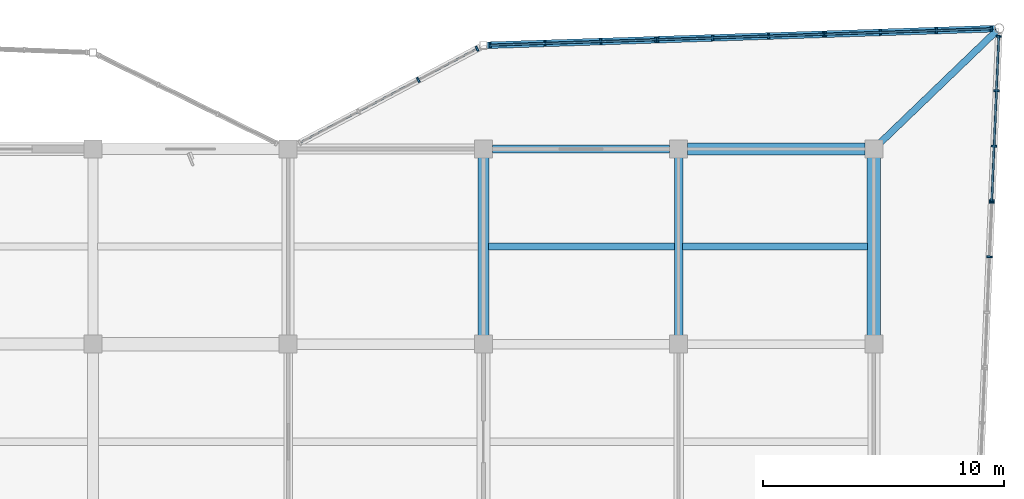
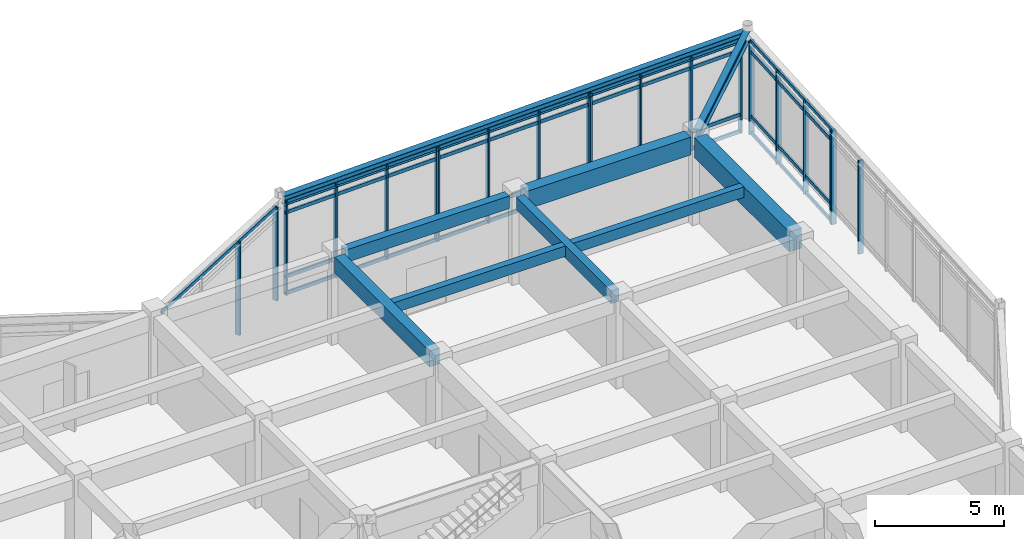
# One storey, part 48 of 89: 37 members, 9 beams, 6 elements without a shape of their own.
"""IFC4 building model written with IfcOpenShell, lengths in metres."""

from ifc_helpers import new_model, si_unit, direction, frame, origin, origin_2d, place, context, subcontext, project, spatial, rectangle, i_section, extrude, material, layer, layer_set, material_profile, profile_set, type_object, element, aggregate, save


model = new_model("IFC4")

# Units and contexts
model_context = context("Model", 3, precision=1e-05, world=origin(), true_north=direction((0.0, 1.0)))
body_context = subcontext(model_context, "Body", "Model", "MODEL_VIEW")
ifc_project = project(units=[si_unit("LENGTHUNIT", "METRE"), si_unit("AREAUNIT", "SQUARE_METRE"), si_unit("VOLUMEUNIT", "CUBIC_METRE"), si_unit("PLANEANGLEUNIT", "RADIAN"), si_unit("MASSUNIT", "GRAM", prefix="KILO")], contexts=[model_context])

# Site, building, storey
site_placement = place(None, origin())
site = spatial("IfcSite", under=ifc_project, at=site_placement, CompositionType="ELEMENT")
building_placement = place(site_placement, origin())
building = spatial("IfcBuilding", under=site, at=building_placement, Name="Vaudrelin Polytechnic", CompositionType="ELEMENT")
storey_placement = place(building_placement, frame((0.0, 0.0, 9.68994140625)))
storey = spatial("IfcBuildingStorey", under=building, at=storey_placement, Name="L02", CompositionType="ELEMENT", Elevation=9.68994140625)

# Beams
ifc_material_1 = material(Name="Concrete 40 MPa", Category="concrete")
ifc_material_profile_1 = material_profile(ifc_material_1, rectangle(XDim=0.35009765625, YDim=0.60009765625, at=origin_2d()), Name="RC350x600")
ifc_profile_set_1 = profile_set([ifc_material_profile_1], Name="Concrete 40 MPa")
beam_type_1 = type_object("IfcBeamType", Name="BM-BM-RC3560", PredefinedType="BEAM", material=ifc_profile_set_1)
beam_1_placement = place(storey_placement, frame((162.0, 113.760009765625, 3.840087890625), z_axis=(0.0, 1.0, 0.0), x_axis=(-1.0, 0.0, 0.0)))
element("IfcBeam", 1, at=beam_1_placement, inside=storey, type_object=beam_type_1, Name="L02 Y-beam 21-15", PredefinedType="BEAM", context=body_context, shape_type="SweptSolid", body=[
    extrude(rectangle(XDim=0.35009765625, YDim=0.60009765625, at=origin_2d()), origin(), (0.0, 0.0, 1.0), 7.3798828125),
])
beam_2_placement = place(storey_placement, frame((154.27099609375, 121.5, 3.840087890625), z_axis=(1.0, 0.0, 0.0), x_axis=(0.0, 1.0, 0.0)))
element("IfcBeam", 2, at=beam_2_placement, inside=storey, type_object=beam_type_1, Name="L02 X-beam 20-16", PredefinedType="BEAM", context=body_context, shape_type="SweptSolid", body=[
    extrude(rectangle(XDim=0.35009765625, YDim=0.60009765625, at=origin_2d()), origin(), (0.0, 0.0, 1.0), 7.35791015625),
])
ifc_material_profile_2 = material_profile(ifc_material_1, rectangle(XDim=0.449951171875, YDim=0.75, at=origin_2d()), Name="RC450x750")
ifc_profile_set_2 = profile_set([ifc_material_profile_2], Name="Concrete 40 MPa")
beam_type_2 = type_object("IfcBeamType", Name="BM-BM-RC4575", PredefinedType="BEAM", material=ifc_profile_set_2)
beam_3_placement = place(storey_placement, frame((153.89990234375, 113.760009765625, 3.76513671875), z_axis=(0.0, 1.0, 0.0), x_axis=(-1.0, 0.0, 0.0)))
element("IfcBeam", 3, at=beam_3_placement, inside=storey, type_object=beam_type_2, Name="L02 Y-beam 20-15", PredefinedType="BEAM", context=body_context, shape_type="SweptSolid", body=[
    extrude(rectangle(XDim=0.449951171875, YDim=0.75, at=origin_2d()), origin(), (0.0, 0.0, 1.0), 7.3798828125),
])
ifc_material_profile_3 = material_profile(ifc_material_1, rectangle(XDim=0.5, YDim=0.85009765625, at=origin_2d()), Name="RC500x850")
ifc_profile_set_3 = profile_set([ifc_material_profile_3], Name="Concrete 40 MPa")
beam_type_3 = type_object("IfcBeamType", Name="BM-BM-RC5085", PredefinedType="BEAM", material=ifc_profile_set_3)
beam_4_placement = place(storey_placement, frame((162.37109375, 121.5, 3.715087890625), z_axis=(1.0, 0.0, 0.0), x_axis=(0.0, 1.0, 0.0)))
element("IfcBeam", 4, at=beam_4_placement, inside=storey, type_object=beam_type_3, Name="L02 X-beam 21-16", PredefinedType="BEAM", context=body_context, shape_type="SweptSolid", body=[
    extrude(rectangle(XDim=0.5, YDim=0.85009765625, at=origin_2d()), origin(), (0.0, 0.0, 1.0), 7.35791015625),
])
ifc_material_2 = material(Name="Concrete 50 MPa", Category="concrete")
ifc_material_profile_4 = material_profile(ifc_material_2, rectangle(XDim=0.550048828125, YDim=0.949951171875, at=origin_2d()), Name="RC550x950")
ifc_profile_set_4 = profile_set([ifc_material_profile_4], Name="Concrete 50 MPa")
beam_type_4 = type_object("IfcBeamType", Name="BM-BM-RC5595", PredefinedType="BEAM", material=ifc_profile_set_4)
beam_5_placement = place(storey_placement, frame((170.10009765625, 113.760009765625, 3.6650390625), z_axis=(0.0, 1.0, 0.0), x_axis=(-1.0, 0.0, 0.0)))
element("IfcBeam", 5, at=beam_5_placement, inside=storey, type_object=beam_type_4, Name="L02 Y-beam 22-15", PredefinedType="BEAM", context=body_context, shape_type="SweptSolid", body=[
    extrude(rectangle(XDim=0.550048828125, YDim=0.949951171875, at=origin_2d()), origin(), (0.0, 0.0, 1.0), 7.3798828125),
])
ifc_material_3 = material(Name="Steel CSA G40.21 350W", Category="steel")
ifc_material_profile_5 = material_profile(ifc_material_3, i_section(OverallWidth=0.280029296875, OverallDepth=0.462890625, WebThickness=0.0107421875, FlangeThickness=0.017333984375, FilletRadius=0.01806640625, at=origin_2d()), Name="W460x113")
ifc_profile_set_5 = profile_set([ifc_material_profile_5], Name="Steel CSA G40.21 350W")
beam_type_5 = type_object("IfcBeamType", Name="BM-BM-W460H", PredefinedType="BEAM", material=ifc_profile_set_5)
beam_6_placement = place(storey_placement, frame((154.039794921875, 125.8046875, 3.908447265625), z_axis=(0.999465724625, 0.032684328046, 0.0), x_axis=(-0.032684328046, 0.999465724625, 0.0)))
element("IfcBeam", 6, at=beam_6_placement, inside=storey, type_object=beam_type_5, Name="Sculptural edge beam L02 NE_BM_2", PredefinedType="BEAM", context=body_context, shape_type="SweptSolid", body=[
    extrude(i_section(OverallWidth=0.280029296875, OverallDepth=0.462890625, WebThickness=0.0107421875, FlangeThickness=0.017333984375, FilletRadius=0.01806640625, at=origin_2d()), origin(), (0.0, 0.0, 1.0), 21.131591796875),
])
beam_7_placement = place(storey_placement, frame((170.200927734375, 121.596923828125, 3.908447265625), z_axis=(0.720825622612, 0.69311645615, 0.0), x_axis=(-0.69311645615, 0.720825622612, 0.0)))
element("IfcBeam", 7, at=beam_7_placement, inside=storey, type_object=beam_type_5, Name="Sculptural edge beam L02 NE_BM_5", PredefinedType="BEAM", context=body_context, shape_type="SweptSolid", body=[
    extrude(i_section(OverallWidth=0.280029296875, OverallDepth=0.462890625, WebThickness=0.0107421875, FlangeThickness=0.017333984375, FilletRadius=0.01806640625, at=origin_2d()), origin(), (0.0, 0.0, 1.0), 6.93408203125),
])
ifc_material_profile_6 = material_profile(ifc_material_1, rectangle(XDim=0.300048828125, YDim=0.5, at=origin_2d()), Name="RC300x500")
ifc_profile_set_6 = profile_set([ifc_material_profile_6], Name="Concrete 40 MPa")
beam_type_6 = type_object("IfcBeamType", Name="BM-JS-RC3050", PredefinedType="JOIST", material=ifc_profile_set_6)
beam_8_placement = place(storey_placement, frame((154.12109375, 117.449951171875, 3.89013671875), z_axis=(1.0, 0.0, 0.0), x_axis=(0.0, 1.0, 0.0)))
element("IfcBeam", 8, at=beam_8_placement, inside=storey, type_object=beam_type_6, Name="L02 floor joist 20-15", PredefinedType="JOIST", context=body_context, shape_type="SweptSolid", body=[
    extrude(rectangle(XDim=0.300048828125, YDim=0.5, at=origin_2d()), origin(), (0.0, 0.0, 1.0), 7.7080078125),
])
beam_9_placement = place(storey_placement, frame((162.1708984375, 117.449951171875, 3.89013671875), z_axis=(1.0, 0.0, 0.0), x_axis=(0.0, 1.0, 0.0)))
element("IfcBeam", 9, at=beam_9_placement, inside=storey, type_object=beam_type_6, Name="L02 floor joist 21-15", PredefinedType="JOIST", context=body_context, shape_type="SweptSolid", body=[
    extrude(rectangle(XDim=0.300048828125, YDim=0.5, at=origin_2d()), origin(), (0.0, 0.0, 1.0), 7.658203125),
])

# Curtain wall, members
ifc_material_4 = material(Name="Thermally broken anodised aluminium AA 6063-T6 and low-e triple glazing", Category="aluminium")
ifc_layer = layer(ifc_material_4, 0.199951171875)
ifc_layer_set = layer_set([ifc_layer], Name="Thermally broken anodised aluminium AA 6063-T6 and low-e triple glazing")
curtain_wall_type = type_object("IfcCurtainWallType", Name="CW-CW-LAB", PredefinedType="USERDEFINED", material=ifc_layer_set)
curtain_wall_1_placement = place(storey_placement, origin())
curtain_wall_1 = element("IfcCurtainWall", 10, at=curtain_wall_1_placement, inside=storey, type_object=curtain_wall_type, Name="Curtain wall L02 NEP_1_0", ObjectType="CURTAIN WALL", PredefinedType="USERDEFINED")
ifc_material_5 = material(Name="Anodised aluminium AA 6063-T6", Category="aluminium")
ifc_material_profile_7 = material_profile(ifc_material_5, rectangle(XDim=0.074951171875, YDim=0.219970703125, at=origin_2d()), Name="CWM-75x220")
ifc_profile_set_7 = profile_set([ifc_material_profile_7], Name="Anodised aluminium AA 6063-T6")
member_type_1 = type_object("IfcMemberType", Name="MEM-CWM-220", PredefinedType="MULLION", material=ifc_profile_set_7)
member_1_placement = place(storey_placement, frame((151.1982421875, 124.36572265625, -0.6298828125), z_axis=(0.0, 0.0, 1.0), x_axis=(0.88325357809, 0.468895635288, 0.0)))
member_1 = element("IfcMember", 11, at=member_1_placement, type_object=member_type_1, Name="NEP_1_0 mullion 3", PredefinedType="MULLION", context=body_context, shape_type="SweptSolid", body=[
    extrude(rectangle(XDim=0.074951171875, YDim=0.219970703125, at=origin_2d()), origin(), (0.0, 0.0, 1.0), 4.43994140625),
])
member_2_placement = place(storey_placement, frame((153.63720703125, 125.660400390625, -0.6298828125), z_axis=(0.0, 0.0, 1.0), x_axis=(0.88325357809, 0.468895635288, 0.0)))
member_2 = element("IfcMember", 12, at=member_2_placement, type_object=member_type_1, Name="NEP_1_0 mullion 4", PredefinedType="MULLION", context=body_context, shape_type="SweptSolid", body=[
    extrude(rectangle(XDim=0.074951171875, YDim=0.219970703125, at=origin_2d()), origin(), (0.0, 0.0, 1.0), 4.43994140625),
])

curtain_wall_2_placement = place(storey_placement, origin())
curtain_wall_2 = element("IfcCurtainWall", 13, at=curtain_wall_2_placement, inside=storey, type_object=curtain_wall_type, Name="Curtain wall L02 NEP_2_0", ObjectType="CURTAIN WALL", PredefinedType="USERDEFINED")
member_3_placement = place(storey_placement, frame((154.177490234375, 125.80908203125, -0.6298828125), z_axis=(0.0, 0.0, 1.0), x_axis=(0.999465454284, 0.032692593862, 0.0)))
member_3 = element("IfcMember", 14, at=member_3_placement, type_object=member_type_1, Name="NEP_2_0 mullion 1", PredefinedType="MULLION", context=body_context, shape_type="SweptSolid", body=[
    extrude(rectangle(XDim=0.074951171875, YDim=0.219970703125, at=origin_2d()), origin(), (0.0, 0.0, 1.0), 4.43994140625),
])
member_4_placement = place(storey_placement, frame((156.456787109375, 125.8837890625, -0.6298828125), z_axis=(0.0, 0.0, 1.0), x_axis=(0.999465454284, 0.032692593862, 0.0)))
member_4 = element("IfcMember", 15, at=member_4_placement, type_object=member_type_1, Name="NEP_2_0 mullion 2", PredefinedType="MULLION", context=body_context, shape_type="SweptSolid", body=[
    extrude(rectangle(XDim=0.074951171875, YDim=0.219970703125, at=origin_2d()), origin(), (0.0, 0.0, 1.0), 4.43994140625),
])
member_5_placement = place(storey_placement, frame((158.776123046875, 125.95947265625, -0.6298828125), z_axis=(0.0, 0.0, 1.0), x_axis=(0.999465454284, 0.032692593862, 0.0)))
member_5 = element("IfcMember", 16, at=member_5_placement, type_object=member_type_1, Name="NEP_2_0 mullion 3", PredefinedType="MULLION", context=body_context, shape_type="SweptSolid", body=[
    extrude(rectangle(XDim=0.074951171875, YDim=0.219970703125, at=origin_2d()), origin(), (0.0, 0.0, 1.0), 4.43994140625),
])
member_6_placement = place(storey_placement, frame((161.0556640625, 126.0341796875, -0.6298828125), z_axis=(0.0, 0.0, 1.0), x_axis=(0.999465454284, 0.032692593862, 0.0)))
member_6 = element("IfcMember", 17, at=member_6_placement, type_object=member_type_1, Name="NEP_2_0 mullion 4", PredefinedType="MULLION", context=body_context, shape_type="SweptSolid", body=[
    extrude(rectangle(XDim=0.074951171875, YDim=0.219970703125, at=origin_2d()), origin(), (0.0, 0.0, 1.0), 4.43994140625),
])

curtain_wall_3_placement = place(storey_placement, origin())
curtain_wall_3 = element("IfcCurtainWall", 18, at=curtain_wall_3_placement, inside=storey, type_object=curtain_wall_type, Name="Curtain wall L02 NEP_2_1", ObjectType="CURTAIN WALL", PredefinedType="USERDEFINED")
member_7_placement = place(storey_placement, frame((161.135498046875, 126.03662109375, -0.6298828125), z_axis=(0.0, 0.0, 1.0), x_axis=(0.999465454284, 0.032692593862, 0.0)))
member_7 = element("IfcMember", 19, at=member_7_placement, type_object=member_type_1, Name="NEP_2_1 mullion 1", PredefinedType="MULLION", context=body_context, shape_type="SweptSolid", body=[
    extrude(rectangle(XDim=0.074951171875, YDim=0.219970703125, at=origin_2d()), origin(), (0.0, 0.0, 1.0), 4.43994140625),
])
member_8_placement = place(storey_placement, frame((163.4150390625, 126.111328125, -0.6298828125), z_axis=(0.0, 0.0, 1.0), x_axis=(0.999465454284, 0.032692593862, 0.0)))
member_8 = element("IfcMember", 20, at=member_8_placement, type_object=member_type_1, Name="NEP_2_1 mullion 2", PredefinedType="MULLION", context=body_context, shape_type="SweptSolid", body=[
    extrude(rectangle(XDim=0.074951171875, YDim=0.219970703125, at=origin_2d()), origin(), (0.0, 0.0, 1.0), 4.43994140625),
])
member_9_placement = place(storey_placement, frame((165.734375, 126.18701171875, -0.6298828125), z_axis=(0.0, 0.0, 1.0), x_axis=(0.999465454284, 0.032692593862, 0.0)))
member_9 = element("IfcMember", 21, at=member_9_placement, type_object=member_type_1, Name="NEP_2_1 mullion 3", PredefinedType="MULLION", context=body_context, shape_type="SweptSolid", body=[
    extrude(rectangle(XDim=0.074951171875, YDim=0.219970703125, at=origin_2d()), origin(), (0.0, 0.0, 1.0), 4.43994140625),
])
member_10_placement = place(storey_placement, frame((168.013671875, 126.26171875, -0.6298828125), z_axis=(0.0, 0.0, 1.0), x_axis=(0.999465454284, 0.032692593862, 0.0)))
member_10 = element("IfcMember", 22, at=member_10_placement, type_object=member_type_1, Name="NEP_2_1 mullion 4", PredefinedType="MULLION", context=body_context, shape_type="SweptSolid", body=[
    extrude(rectangle(XDim=0.074951171875, YDim=0.219970703125, at=origin_2d()), origin(), (0.0, 0.0, 1.0), 4.43994140625),
])

curtain_wall_4_placement = place(storey_placement, origin())
curtain_wall_4 = element("IfcCurtainWall", 23, at=curtain_wall_4_placement, inside=storey, type_object=curtain_wall_type, Name="Curtain wall L02 NEP_2_2", ObjectType="CURTAIN WALL", PredefinedType="USERDEFINED")
member_11_placement = place(storey_placement, frame((168.09375, 126.264404296875, -0.6298828125), z_axis=(0.0, 0.0, 1.0), x_axis=(0.999465454284, 0.032692593862, 0.0)))
member_11 = element("IfcMember", 24, at=member_11_placement, type_object=member_type_1, Name="NEP_2_2 mullion 1", PredefinedType="MULLION", context=body_context, shape_type="SweptSolid", body=[
    extrude(rectangle(XDim=0.074951171875, YDim=0.219970703125, at=origin_2d()), origin(), (0.0, 0.0, 1.0), 4.43994140625),
])
member_12_placement = place(storey_placement, frame((170.373046875, 126.3388671875, -0.6298828125), z_axis=(0.0, 0.0, 1.0), x_axis=(0.999465454284, 0.032692593862, 0.0)))
member_12 = element("IfcMember", 25, at=member_12_placement, type_object=member_type_1, Name="NEP_2_2 mullion 2", PredefinedType="MULLION", context=body_context, shape_type="SweptSolid", body=[
    extrude(rectangle(XDim=0.074951171875, YDim=0.219970703125, at=origin_2d()), origin(), (0.0, 0.0, 1.0), 4.43994140625),
])
member_13_placement = place(storey_placement, frame((172.6923828125, 126.414794921875, -0.6298828125), z_axis=(0.0, 0.0, 1.0), x_axis=(0.999465454284, 0.032692593862, 0.0)))
member_13 = element("IfcMember", 26, at=member_13_placement, type_object=member_type_1, Name="NEP_2_2 mullion 3", PredefinedType="MULLION", context=body_context, shape_type="SweptSolid", body=[
    extrude(rectangle(XDim=0.074951171875, YDim=0.219970703125, at=origin_2d()), origin(), (0.0, 0.0, 1.0), 4.43994140625),
])
member_14_placement = place(storey_placement, frame((174.9716796875, 126.4892578125, -0.6298828125), z_axis=(0.0, 0.0, 1.0), x_axis=(0.999465454284, 0.032692593862, 0.0)))
member_14 = element("IfcMember", 27, at=member_14_placement, type_object=member_type_1, Name="NEP_2_2 mullion 4", PredefinedType="MULLION", context=body_context, shape_type="SweptSolid", body=[
    extrude(rectangle(XDim=0.074951171875, YDim=0.219970703125, at=origin_2d()), origin(), (0.0, 0.0, 1.0), 4.43994140625),
])

curtain_wall_5_placement = place(storey_placement, origin())
curtain_wall_5 = element("IfcCurtainWall", 28, at=curtain_wall_5_placement, inside=storey, type_object=curtain_wall_type, Name="Curtain wall L02 NEP_3_0", ObjectType="CURTAIN WALL", PredefinedType="USERDEFINED")
member_15_placement = place(storey_placement, frame((175.2861328125, 126.171875, -0.6298828125), z_axis=(0.0, 0.0, 1.0), x_axis=(-0.042419882824, -0.999099871655, 0.0)))
member_15 = element("IfcMember", 29, at=member_15_placement, type_object=member_type_1, Name="NEP_3_0 mullion 1", PredefinedType="MULLION", context=body_context, shape_type="SweptSolid", body=[
    extrude(rectangle(XDim=0.074951171875, YDim=0.219970703125, at=origin_2d()), origin(), (0.0, 0.0, 1.0), 4.43994140625),
])
member_16_placement = place(storey_placement, frame((175.190185546875, 123.914794921875, -0.6298828125), z_axis=(0.0, 0.0, 1.0), x_axis=(-0.042419882824, -0.999099871655, 0.0)))
member_16 = element("IfcMember", 30, at=member_16_placement, type_object=member_type_1, Name="NEP_3_0 mullion 2", PredefinedType="MULLION", context=body_context, shape_type="SweptSolid", body=[
    extrude(rectangle(XDim=0.074951171875, YDim=0.219970703125, at=origin_2d()), origin(), (0.0, 0.0, 1.0), 4.43994140625),
])
member_17_placement = place(storey_placement, frame((175.0927734375, 121.61767578125, -0.6298828125), z_axis=(0.0, 0.0, 1.0), x_axis=(-0.042419882824, -0.999099871655, 0.0)))
member_17 = element("IfcMember", 31, at=member_17_placement, type_object=member_type_1, Name="NEP_3_0 mullion 3", PredefinedType="MULLION", context=body_context, shape_type="SweptSolid", body=[
    extrude(rectangle(XDim=0.074951171875, YDim=0.219970703125, at=origin_2d()), origin(), (0.0, 0.0, 1.0), 4.43994140625),
])
member_18_placement = place(storey_placement, frame((174.996826171875, 119.3603515625, -0.6298828125), z_axis=(0.0, 0.0, 1.0), x_axis=(-0.042419882824, -0.999099871655, 0.0)))
member_18 = element("IfcMember", 32, at=member_18_placement, type_object=member_type_1, Name="NEP_3_0 mullion 4", PredefinedType="MULLION", context=body_context, shape_type="SweptSolid", body=[
    extrude(rectangle(XDim=0.074951171875, YDim=0.219970703125, at=origin_2d()), origin(), (0.0, 0.0, 1.0), 4.43994140625),
])

curtain_wall_6_placement = place(storey_placement, origin())
curtain_wall_6 = element("IfcCurtainWall", 33, at=curtain_wall_6_placement, inside=storey, type_object=curtain_wall_type, Name="Curtain wall L02 NEP_3_1", ObjectType="CURTAIN WALL", PredefinedType="USERDEFINED")
member_19_placement = place(storey_placement, frame((174.993408203125, 119.280517578125, -0.6298828125), z_axis=(0.0, 0.0, 1.0), x_axis=(-0.042405411318, -0.999100485983, 0.0)))
member_19 = element("IfcMember", 34, at=member_19_placement, type_object=member_type_1, Name="NEP_3_1 mullion 1", PredefinedType="MULLION", context=body_context, shape_type="SweptSolid", body=[
    extrude(rectangle(XDim=0.074951171875, YDim=0.219970703125, at=origin_2d()), origin(), (0.0, 0.0, 1.0), 4.43994140625),
])
member_20_placement = place(storey_placement, frame((174.897705078125, 117.023193359375, -0.6298828125), z_axis=(0.0, 0.0, 1.0), x_axis=(-0.042405411318, -0.999100485983, 0.0)))
member_20 = element("IfcMember", 35, at=member_20_placement, type_object=member_type_1, Name="NEP_3_1 mullion 2", PredefinedType="MULLION", context=body_context, shape_type="SweptSolid", body=[
    extrude(rectangle(XDim=0.074951171875, YDim=0.219970703125, at=origin_2d()), origin(), (0.0, 0.0, 1.0), 4.43994140625),
])
aggregate(curtain_wall_6, [member_19, member_20])

# Member
ifc_material_profile_8 = material_profile(ifc_material_5, rectangle(XDim=0.074951171875, YDim=0.1650390625, at=origin_2d()), Name="CWT-75x165")
ifc_profile_set_8 = profile_set([ifc_material_profile_8], Name="Anodised aluminium AA 6063-T6")
member_type_2 = type_object("IfcMemberType", Name="MEM-CWT-165", PredefinedType="USERDEFINED", material=ifc_profile_set_8)
member_21_placement = place(storey_placement, frame((146.25, 121.739013671875, 3.760009765625), z_axis=(0.883260874397, 0.468881891056, 0.0), x_axis=(-0.468881891056, 0.883260874397, 0.0)))
member_21 = element("IfcMember", 36, at=member_21_placement, type_object=member_type_2, Name="NEP_1_0 transom 4", ObjectType="TRANSOM", PredefinedType="USERDEFINED", context=body_context, shape_type="SweptSolid", body=[
    extrude(rectangle(XDim=0.074951171875, YDim=0.1650390625, at=origin_2d()), origin(), (0.0, 0.0, 1.0), 8.4033203125),
])

aggregate(curtain_wall_1, [member_1, member_2, member_21])

member_22_placement = place(storey_placement, frame((154.137451171875, 125.807861328125, -0.579833984375), z_axis=(0.999465763569, 0.032683137141, 0.0), x_axis=(-0.032683137141, 0.999465763569, 0.0)))
member_22 = element("IfcMember", 37, at=member_22_placement, type_object=member_type_2, Name="NEP_2_0 transom 1", ObjectType="TRANSOM", PredefinedType="USERDEFINED", context=body_context, shape_type="SweptSolid", body=[
    extrude(rectangle(XDim=0.074951171875, YDim=0.1650390625, at=origin_2d()), origin(), (0.0, 0.0, 1.0), 6.9619140625),
])

member_23_placement = place(storey_placement, frame((154.137451171875, 125.807861328125, 0.219970703125), z_axis=(0.999465763569, 0.032683137141, 0.0), x_axis=(-0.032683137141, 0.999465763569, 0.0)))
member_23 = element("IfcMember", 38, at=member_23_placement, type_object=member_type_2, Name="NEP_2_0 transom 2", ObjectType="TRANSOM", PredefinedType="USERDEFINED", context=body_context, shape_type="SweptSolid", body=[
    extrude(rectangle(XDim=0.074951171875, YDim=0.1650390625, at=origin_2d()), origin(), (0.0, 0.0, 1.0), 6.9619140625),
])

member_24_placement = place(storey_placement, frame((154.137451171875, 125.807861328125, 3.260009765625), z_axis=(0.999465763569, 0.032683137141, 0.0), x_axis=(-0.032683137141, 0.999465763569, 0.0)))
member_24 = element("IfcMember", 39, at=member_24_placement, type_object=member_type_2, Name="NEP_2_0 transom 3", ObjectType="TRANSOM", PredefinedType="USERDEFINED", context=body_context, shape_type="SweptSolid", body=[
    extrude(rectangle(XDim=0.074951171875, YDim=0.1650390625, at=origin_2d()), origin(), (0.0, 0.0, 1.0), 6.9619140625),
])

member_25_placement = place(storey_placement, frame((154.137451171875, 125.807861328125, 3.760009765625), z_axis=(0.999465763569, 0.032683137141, 0.0), x_axis=(-0.032683137141, 0.999465763569, 0.0)))
member_25 = element("IfcMember", 40, at=member_25_placement, type_object=member_type_2, Name="NEP_2_0 transom 4", ObjectType="TRANSOM", PredefinedType="USERDEFINED", context=body_context, shape_type="SweptSolid", body=[
    extrude(rectangle(XDim=0.074951171875, YDim=0.1650390625, at=origin_2d()), origin(), (0.0, 0.0, 1.0), 6.9619140625),
])

aggregate(curtain_wall_2, [member_3, member_4, member_5, member_6, member_22, member_23, member_24, member_25])

member_26_placement = place(storey_placement, frame((161.095703125, 126.035400390625, -0.579833984375), z_axis=(0.999465726108, 0.032684282692, 0.0), x_axis=(-0.032684282692, 0.999465726108, 0.0)))
member_26 = element("IfcMember", 41, at=member_26_placement, type_object=member_type_2, Name="NEP_2_1 transom 1", ObjectType="TRANSOM", PredefinedType="USERDEFINED", context=body_context, shape_type="SweptSolid", body=[
    extrude(rectangle(XDim=0.074951171875, YDim=0.1650390625, at=origin_2d()), origin(), (0.0, 0.0, 1.0), 6.961669921875),
])

member_27_placement = place(storey_placement, frame((161.095703125, 126.035400390625, 0.219970703125), z_axis=(0.999465726108, 0.032684282692, 0.0), x_axis=(-0.032684282692, 0.999465726108, 0.0)))
member_27 = element("IfcMember", 42, at=member_27_placement, type_object=member_type_2, Name="NEP_2_1 transom 2", ObjectType="TRANSOM", PredefinedType="USERDEFINED", context=body_context, shape_type="SweptSolid", body=[
    extrude(rectangle(XDim=0.074951171875, YDim=0.1650390625, at=origin_2d()), origin(), (0.0, 0.0, 1.0), 6.961669921875),
])

member_28_placement = place(storey_placement, frame((161.095703125, 126.035400390625, 3.260009765625), z_axis=(0.999465726108, 0.032684282692, 0.0), x_axis=(-0.032684282692, 0.999465726108, 0.0)))
member_28 = element("IfcMember", 43, at=member_28_placement, type_object=member_type_2, Name="NEP_2_1 transom 3", ObjectType="TRANSOM", PredefinedType="USERDEFINED", context=body_context, shape_type="SweptSolid", body=[
    extrude(rectangle(XDim=0.074951171875, YDim=0.1650390625, at=origin_2d()), origin(), (0.0, 0.0, 1.0), 6.961669921875),
])

member_29_placement = place(storey_placement, frame((161.095703125, 126.035400390625, 3.760009765625), z_axis=(0.999465726108, 0.032684282692, 0.0), x_axis=(-0.032684282692, 0.999465726108, 0.0)))
member_29 = element("IfcMember", 44, at=member_29_placement, type_object=member_type_2, Name="NEP_2_1 transom 4", ObjectType="TRANSOM", PredefinedType="USERDEFINED", context=body_context, shape_type="SweptSolid", body=[
    extrude(rectangle(XDim=0.074951171875, YDim=0.1650390625, at=origin_2d()), origin(), (0.0, 0.0, 1.0), 6.961669921875),
])

aggregate(curtain_wall_3, [member_7, member_8, member_9, member_10, member_26, member_27, member_28, member_29])

member_30_placement = place(storey_placement, frame((168.0537109375, 126.262939453125, -0.579833984375), z_axis=(0.999465726108, 0.032684282692, 0.0), x_axis=(-0.032684282692, 0.999465726108, 0.0)))
member_30 = element("IfcMember", 45, at=member_30_placement, type_object=member_type_2, Name="NEP_2_2 transom 1", ObjectType="TRANSOM", PredefinedType="USERDEFINED", context=body_context, shape_type="SweptSolid", body=[
    extrude(rectangle(XDim=0.074951171875, YDim=0.1650390625, at=origin_2d()), origin(), (0.0, 0.0, 1.0), 6.961669921875),
])

member_31_placement = place(storey_placement, frame((168.0537109375, 126.262939453125, 0.219970703125), z_axis=(0.999465726108, 0.032684282692, 0.0), x_axis=(-0.032684282692, 0.999465726108, 0.0)))
member_31 = element("IfcMember", 46, at=member_31_placement, type_object=member_type_2, Name="NEP_2_2 transom 2", ObjectType="TRANSOM", PredefinedType="USERDEFINED", context=body_context, shape_type="SweptSolid", body=[
    extrude(rectangle(XDim=0.074951171875, YDim=0.1650390625, at=origin_2d()), origin(), (0.0, 0.0, 1.0), 6.961669921875),
])

member_32_placement = place(storey_placement, frame((168.0537109375, 126.262939453125, 3.260009765625), z_axis=(0.999465726108, 0.032684282692, 0.0), x_axis=(-0.032684282692, 0.999465726108, 0.0)))
member_32 = element("IfcMember", 47, at=member_32_placement, type_object=member_type_2, Name="NEP_2_2 transom 3", ObjectType="TRANSOM", PredefinedType="USERDEFINED", context=body_context, shape_type="SweptSolid", body=[
    extrude(rectangle(XDim=0.074951171875, YDim=0.1650390625, at=origin_2d()), origin(), (0.0, 0.0, 1.0), 6.961669921875),
])

member_33_placement = place(storey_placement, frame((168.0537109375, 126.262939453125, 3.760009765625), z_axis=(0.999465726108, 0.032684282692, 0.0), x_axis=(-0.032684282692, 0.999465726108, 0.0)))
member_33 = element("IfcMember", 48, at=member_33_placement, type_object=member_type_2, Name="NEP_2_2 transom 4", ObjectType="TRANSOM", PredefinedType="USERDEFINED", context=body_context, shape_type="SweptSolid", body=[
    extrude(rectangle(XDim=0.074951171875, YDim=0.1650390625, at=origin_2d()), origin(), (0.0, 0.0, 1.0), 6.961669921875),
])

aggregate(curtain_wall_4, [member_11, member_12, member_13, member_14, member_30, member_31, member_32, member_33])

member_34_placement = place(storey_placement, frame((175.287841796875, 126.2119140625, -0.579833984375), z_axis=(-0.042437291332, -0.999099132371, 0.0), x_axis=(0.999099132371, -0.042437291332, 0.0)))
member_34 = element("IfcMember", 49, at=member_34_placement, type_object=member_type_2, Name="NEP_3_0 transom 1", ObjectType="TRANSOM", PredefinedType="USERDEFINED", context=body_context, shape_type="SweptSolid", body=[
    extrude(rectangle(XDim=0.074951171875, YDim=0.1650390625, at=origin_2d()), origin(), (0.0, 0.0, 1.0), 6.897705078125),
])

member_35_placement = place(storey_placement, frame((175.287841796875, 126.2119140625, 0.219970703125), z_axis=(-0.042437291332, -0.999099132371, 0.0), x_axis=(0.999099132371, -0.042437291332, 0.0)))
member_35 = element("IfcMember", 50, at=member_35_placement, type_object=member_type_2, Name="NEP_3_0 transom 2", ObjectType="TRANSOM", PredefinedType="USERDEFINED", context=body_context, shape_type="SweptSolid", body=[
    extrude(rectangle(XDim=0.074951171875, YDim=0.1650390625, at=origin_2d()), origin(), (0.0, 0.0, 1.0), 6.897705078125),
])

member_36_placement = place(storey_placement, frame((175.287841796875, 126.2119140625, 3.260009765625), z_axis=(-0.042437291332, -0.999099132371, 0.0), x_axis=(0.999099132371, -0.042437291332, 0.0)))
member_36 = element("IfcMember", 51, at=member_36_placement, type_object=member_type_2, Name="NEP_3_0 transom 3", ObjectType="TRANSOM", PredefinedType="USERDEFINED", context=body_context, shape_type="SweptSolid", body=[
    extrude(rectangle(XDim=0.074951171875, YDim=0.1650390625, at=origin_2d()), origin(), (0.0, 0.0, 1.0), 6.897705078125),
])

member_37_placement = place(storey_placement, frame((175.287841796875, 126.2119140625, 3.760009765625), z_axis=(-0.042437291332, -0.999099132371, 0.0), x_axis=(0.999099132371, -0.042437291332, 0.0)))
member_37 = element("IfcMember", 52, at=member_37_placement, type_object=member_type_2, Name="NEP_3_0 transom 4", ObjectType="TRANSOM", PredefinedType="USERDEFINED", context=body_context, shape_type="SweptSolid", body=[
    extrude(rectangle(XDim=0.074951171875, YDim=0.1650390625, at=origin_2d()), origin(), (0.0, 0.0, 1.0), 6.897705078125),
])

aggregate(curtain_wall_5, [member_15, member_16, member_17, member_18, member_34, member_35, member_36, member_37])

save(model, "model.ifc")
